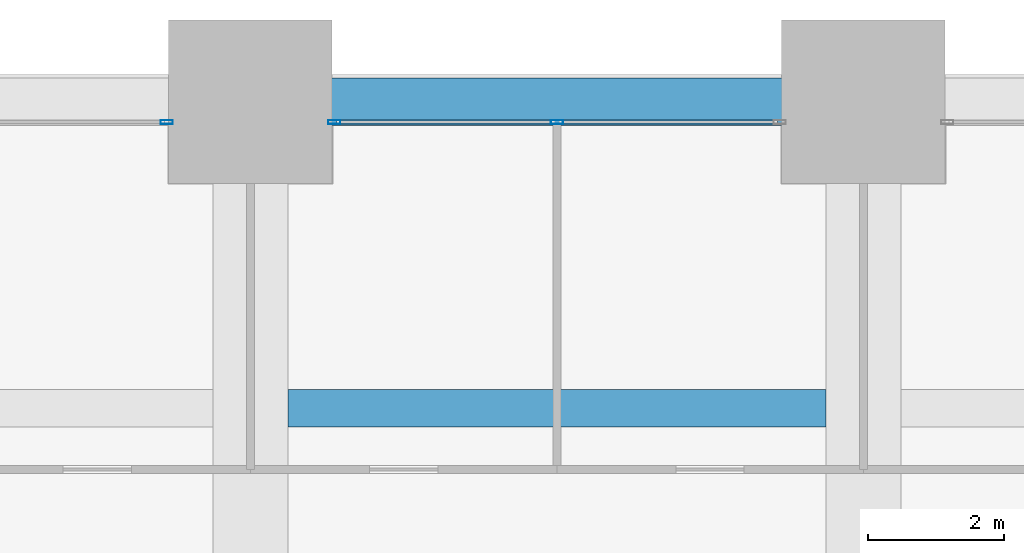
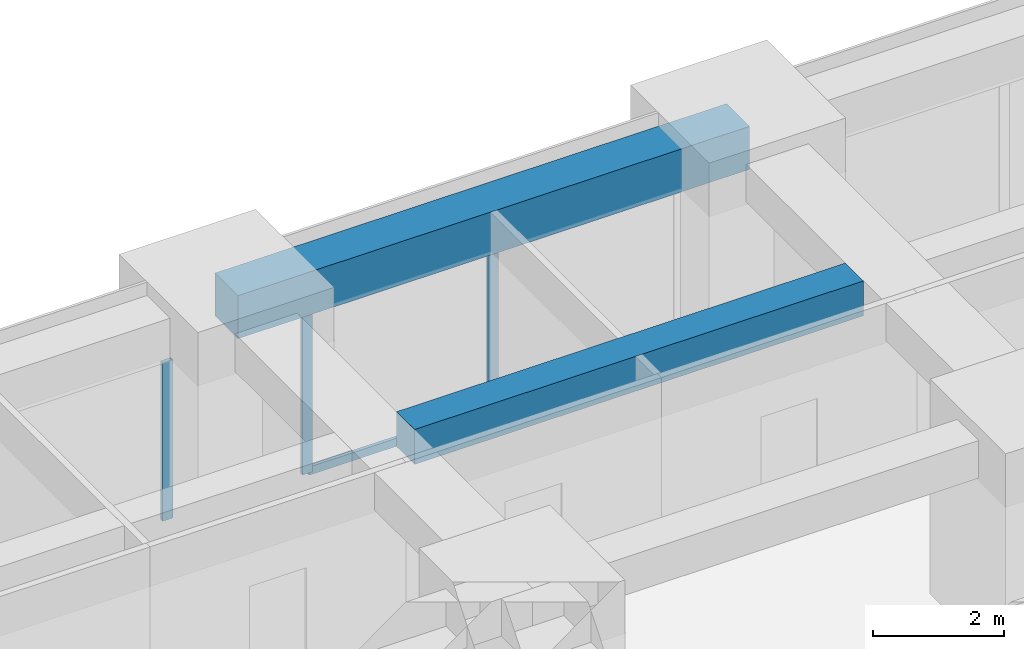
# One storey, part 19 of 38: 4 members, 2 beams, 2 elements without a shape of their own.
"""IFC4 building model written with IfcOpenShell, lengths in metres."""

from ifc_helpers import new_model, si_unit, direction, frame, origin, origin_2d, place, context, subcontext, project, spatial, rectangle, hollow_rectangle, extrude, material, material_profile, profile_set, type_object, element, aggregate, save


model = new_model("IFC4")

# Units and contexts
model_context = context("Model", 3, precision=1e-05, world=origin(), true_north=direction((0.0, 1.0)))
body_context = subcontext(model_context, "Body", "Model", "MODEL_VIEW")
ifc_project = project(units=[si_unit("LENGTHUNIT", "METRE"), si_unit("AREAUNIT", "SQUARE_METRE"), si_unit("VOLUMEUNIT", "CUBIC_METRE"), si_unit("PLANEANGLEUNIT", "RADIAN"), si_unit("MASSUNIT", "GRAM", prefix="KILO")], contexts=[model_context])

# Site, building, storey
site_placement = place(None, origin())
site = spatial("IfcSite", under=ifc_project, at=site_placement, CompositionType="ELEMENT")
building_placement = place(site_placement, origin())
building = spatial("IfcBuilding", under=site, at=building_placement, Name="Zorevar Civic Tower", CompositionType="ELEMENT")
storey_placement = place(building_placement, frame((0.0, 0.0, 15.800048828125)))
storey = spatial("IfcBuildingStorey", under=building, at=storey_placement, Name="L03", CompositionType="ELEMENT", Elevation=15.800048828125)

# Beam
ifc_material_1 = material(Name="Concrete C50/60", Category="concrete")
ifc_material_profile_1 = material_profile(ifc_material_1, rectangle(XDim=0.550048828125, YDim=0.64990234375, at=origin_2d()), Name="RC 550x650")
ifc_profile_set_1 = profile_set([ifc_material_profile_1], Name="Concrete C50/60")
beam_type_1 = type_object("IfcBeamType", Name="Beam RC 550x650", PredefinedType="BEAM", material=ifc_profile_set_1)
beam_1_placement = place(storey_placement, frame((18.550048828125, 49.5, 3.425048828125), z_axis=(1.0, 0.0, 0.0), x_axis=(0.0, 1.0, 0.0)))
element("IfcBeam", 1, at=beam_1_placement, inside=storey, type_object=beam_type_1, Name="Secondary beam L04", PredefinedType="BEAM", context=body_context, shape_type="SweptSolid", body=[
    extrude(rectangle(XDim=0.550048828125, YDim=0.64990234375, at=origin_2d()), origin(), (0.0, 0.0, 1.0), 7.89990234375),
])

# Curtain wall, member
ifc_material_2 = material(Name="Dark grey solar-control glass in black aluminium frame", Category="aluminium")
curtain_wall_type = type_object("IfcCurtainWallType", Name="Curtain wall CW2 low zone", PredefinedType="NOTDEFINED", material=ifc_material_2)
curtain_wall_1_placement = place(storey_placement, origin())
curtain_wall_1 = element("IfcCurtainWall", 2, at=curtain_wall_1_placement, inside=storey, type_object=curtain_wall_type, Name="CW2 L03", PredefinedType="NOTDEFINED")
ifc_material_3 = material(Name="Aluminium, black anodised", Category="aluminium")
ifc_material_profile_2 = material_profile(ifc_material_3, hollow_rectangle(XDim=0.06005859375, YDim=0.179931640625, WallThickness=0.00390625, at=origin_2d()), Name="AL 180x60x4")
ifc_profile_set_2 = profile_set([ifc_material_profile_2], Name="Aluminium, black anodised")
member_type_1 = type_object("IfcMemberType", Name="CW2 mullion AL 180x60x4", PredefinedType="MULLION", material=ifc_profile_set_2)
member_1_placement = place(storey_placement, frame((16.77001953125, 53.699951171875, 0.0), z_axis=(0.0, 0.0, 1.0), x_axis=(0.0, 1.0, 0.0)))
member_1 = element("IfcMember", 3, at=member_1_placement, type_object=member_type_1, Name="CW2 mullion 3", PredefinedType="MULLION", context=body_context, shape_type="SweptSolid", body=[
    extrude(hollow_rectangle(XDim=0.06005859375, YDim=0.179931640625, WallThickness=0.00390625, at=origin_2d()), origin(), (0.0, 0.0, 1.0), 2.949951171875),
])
aggregate(curtain_wall_1, [member_1])

# Curtain wall, members
curtain_wall_2_placement = place(storey_placement, origin())
curtain_wall_2 = element("IfcCurtainWall", 4, at=curtain_wall_2_placement, inside=storey, type_object=curtain_wall_type, Name="CW2 L03", PredefinedType="NOTDEFINED")
member_2_placement = place(storey_placement, frame((19.22998046875, 53.699951171875, 0.0), z_axis=(0.0, 0.0, 1.0), x_axis=(0.0, 1.0, 0.0)))
member_2 = element("IfcMember", 5, at=member_2_placement, type_object=member_type_1, Name="CW2 mullion 1", PredefinedType="MULLION", context=body_context, shape_type="SweptSolid", body=[
    extrude(hollow_rectangle(XDim=0.06005859375, YDim=0.179931640625, WallThickness=0.00390625, at=origin_2d()), origin(), (0.0, 0.0, 1.0), 2.949951171875),
])
member_3_placement = place(storey_placement, frame((22.5, 53.699951171875, 0.06005859375), z_axis=(0.0, 0.0, 1.0), x_axis=(0.0, 1.0, 0.0)))
member_3 = element("IfcMember", 6, at=member_3_placement, type_object=member_type_1, Name="CW2 mullion 2", PredefinedType="MULLION", context=body_context, shape_type="SweptSolid", body=[
    extrude(hollow_rectangle(XDim=0.06005859375, YDim=0.179931640625, WallThickness=0.00390625, at=origin_2d()), origin(), (0.0, 0.0, 1.0), 2.889892578125),
])
ifc_material_4 = material(Name="Aluminium, black anodised", Category="aluminium")
ifc_material_profile_3 = material_profile(ifc_material_4, hollow_rectangle(XDim=0.06005859375, YDim=0.14990234375, WallThickness=0.00390625, at=origin_2d()), Name="AL 150x60x4")
ifc_profile_set_3 = profile_set([ifc_material_profile_3], Name="Aluminium, black anodised")
member_type_2 = type_object("IfcMemberType", Name="CW2 transom AL 150x60x4", PredefinedType="USERDEFINED", material=ifc_profile_set_3)
member_4_placement = place(storey_placement, frame((19.260009765625, 53.699951171875, 0.030029296875), z_axis=(1.0, 0.0, 0.0), x_axis=(0.0, 1.0, 0.0)))
member_4 = element("IfcMember", 7, at=member_4_placement, type_object=member_type_2, Name="CW2 sill transom", ObjectType="TRANSOM", PredefinedType="USERDEFINED", context=body_context, shape_type="SweptSolid", body=[
    extrude(hollow_rectangle(XDim=0.06005859375, YDim=0.14990234375, WallThickness=0.00390625, at=origin_2d()), origin(), (0.0, 0.0, 1.0), 6.47998046875),
])
aggregate(curtain_wall_2, [member_2, member_3, member_4])

# Beam
ifc_material_5 = material(Name="Concrete C50/60", Category="concrete")
ifc_material_profile_4 = material_profile(ifc_material_5, rectangle(XDim=0.699951171875, YDim=0.800048828125, at=origin_2d()), Name="RC 700x800")
ifc_profile_set_4 = profile_set([ifc_material_profile_4], Name="Concrete C50/60")
beam_type_2 = type_object("IfcBeamType", Name="Edge beam RC 700x800", PredefinedType="SPANDREL", material=ifc_profile_set_4)
beam_2_placement = place(storey_placement, frame((18.0, 54.0, 3.349853515625), z_axis=(1.0, 0.0, 0.0), x_axis=(0.0, 1.0, 0.0)))
element("IfcBeam", 8, at=beam_2_placement, inside=storey, type_object=beam_type_2, Name="Edge beam L04", PredefinedType="SPANDREL", context=body_context, shape_type="SweptSolid", body=[
    extrude(rectangle(XDim=0.699951171875, YDim=0.800048828125, at=origin_2d()), origin(), (0.0, 0.0, 1.0), 9.0),
])

save(model, "model.ifc")
